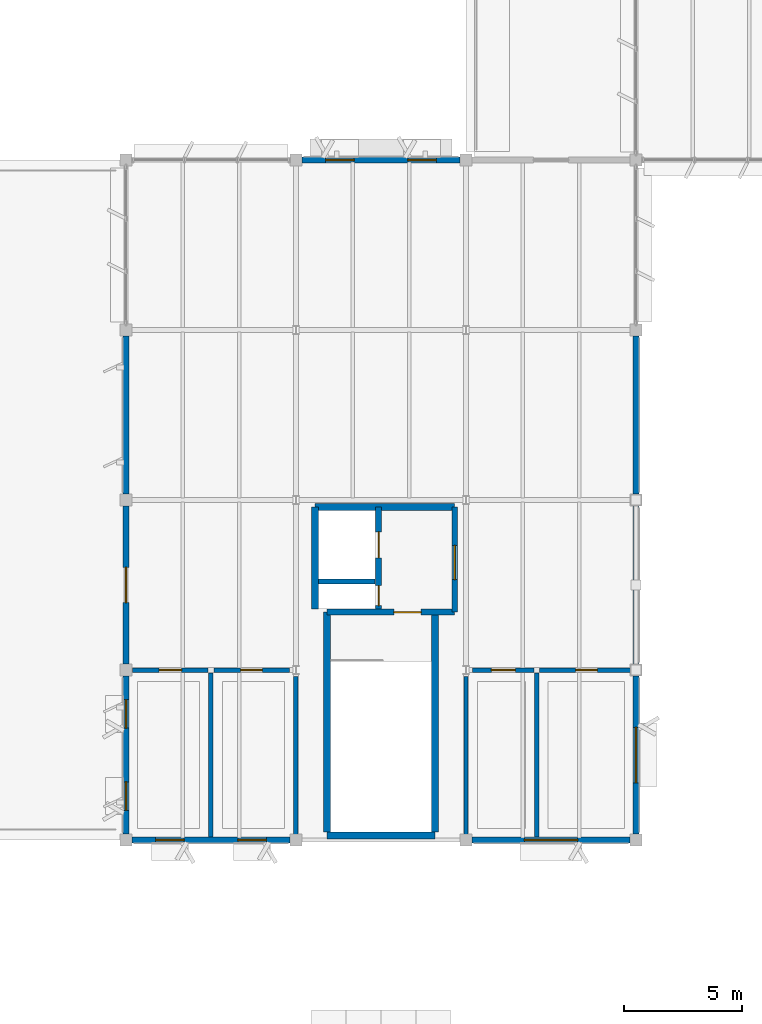
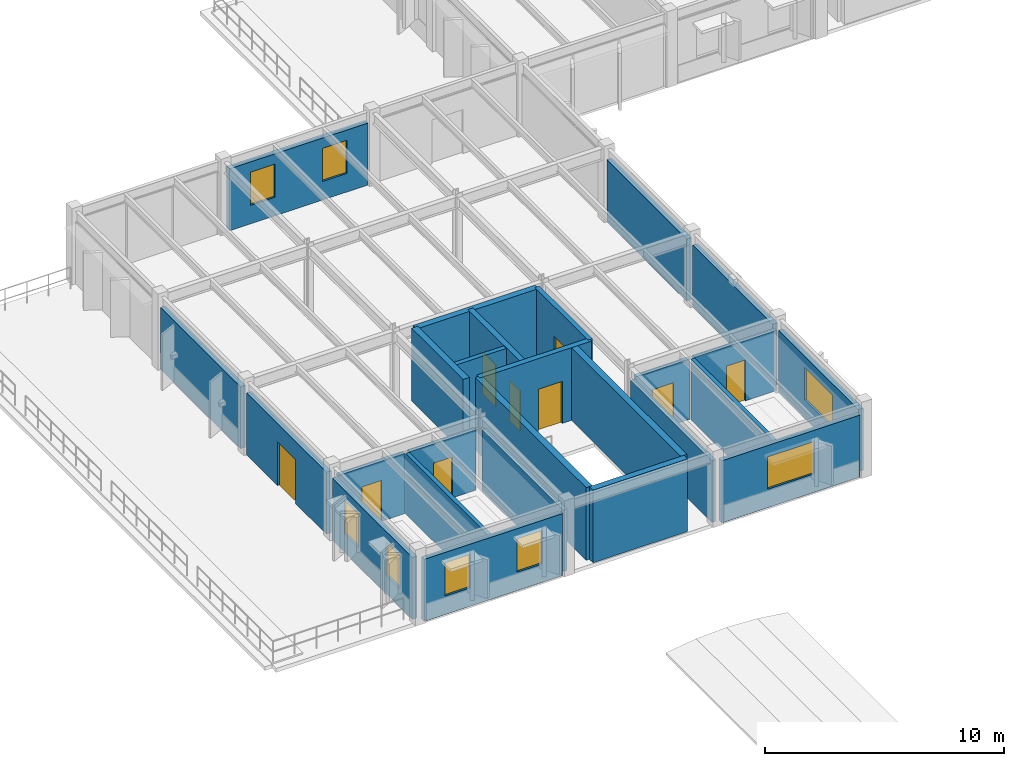
# One storey, part 12 of 35: 26 walls, 9 doors, 8 windows, 17 openings.
"""IFC4 building model written with IfcOpenShell, lengths in metres."""

from ifc_helpers import new_model, si_unit, direction, frame, frame_2d, origin, place, context, subcontext, project, spatial, rectangle, extrude, material, layer, layer_set, type_object, element, fill, save


model = new_model("IFC4")

# Units and contexts
model_context = context("Model", 3, precision=1e-05, world=origin(), true_north=direction((0.0, 1.0)))
body_context = subcontext(model_context, "Body", "Model", "MODEL_VIEW")
ifc_project = project(units=[si_unit("LENGTHUNIT", "METRE"), si_unit("AREAUNIT", "SQUARE_METRE"), si_unit("VOLUMEUNIT", "CUBIC_METRE"), si_unit("PLANEANGLEUNIT", "RADIAN"), si_unit("MASSUNIT", "GRAM", prefix="KILO")], contexts=[model_context])

# Site, building, storey
site_placement = place(None, origin())
site = spatial("IfcSite", under=ifc_project, at=site_placement, CompositionType="ELEMENT")
building_placement = place(site_placement, origin())
building = spatial("IfcBuilding", under=site, at=building_placement, Name="Sillqori Civic Hall", CompositionType="ELEMENT")
storey_placement = place(building_placement, frame((0.0, 0.0, 18.0)))
storey = spatial("IfcBuildingStorey", under=building, at=storey_placement, Name="L05", CompositionType="ELEMENT", Elevation=18.0)

# Wall
ifc_material_1 = material(Name="Concrete C35/45 (H35)", Category="concrete")
ifc_layer_1 = layer(ifc_material_1, 0.219970703125)
ifc_layer_set_1 = layer_set([ifc_layer_1], Name="Concrete C35/45 (H35)")
wall_type_1 = type_object("IfcWallType", Name="CW-SHR-220", PredefinedType="SHEAR", material=ifc_layer_set_1)
wall_1_placement = place(storey_placement, frame((22.550048828125, 61.35009765625, 0.0), z_axis=(0.0, 0.0, 1.0), x_axis=(1.0, 0.0, 0.0)))
element("IfcWall", 1, at=wall_1_placement, inside=storey, type_object=wall_type_1, Name="L05 C4 Lift-riser divider wall", PredefinedType="SHEAR", context=body_context, shape_type="SweptSolid", body=[
    extrude(rectangle(XDim=2.39990234375, YDim=0.219970703125, at=frame_2d((1.199951171875, 0.0))), origin(), (0.0, 0.0, 1.0), 3.719970703125),
])

# Wall, opening, door
wall_2_placement = place(storey_placement, frame((28.320068359375, 64.5, 0.0), z_axis=(0.0, 0.0, 1.0), x_axis=(0.0, -1.0, 0.0)))
wall_2 = element("IfcWall", 2, at=wall_2_placement, inside=storey, type_object=wall_type_1, Name="L05 C4 firefighting lobby enclosure wall", PredefinedType="SHEAR", context=body_context, shape_type="SweptSolid", body=[
    extrude(rectangle(XDim=4.449951171875, YDim=0.219970703125, at=frame_2d((2.22509765625, 0.0))), origin(), (0.0, 0.0, 1.0), 3.719970703125),
])
opening_1_placement = place(wall_2_placement, frame((1.625, 0.0, 0.0)))
opening_1 = element("IfcOpeningElement", 3, at=opening_1_placement, cuts=wall_2, Name="Opening FD-03", PredefinedType="OPENING", context=body_context, shape_type="SweptSolid", body=[
    extrude(rectangle(XDim=1.449951171875, YDim=2.199951171875, at=frame_2d((0.72509765625, 1.10009765625))), frame((0.0, 0.119873046875, 0.0), z_axis=(0.0, -1.0, 0.0), x_axis=(1.0, 0.0, 0.0)), (0.0, 0.0, 1.0), 0.239990234375),
])
ifc_material_2 = material(Name="Double-Leaf Smoke-Seal Lobby Door", Category="steel")
door_type_1 = type_object("IfcDoorType", Name="FDR-LOB-145X220", OperationType="NOTDEFINED", PredefinedType="DOOR", material=ifc_material_2)
door_1_placement = place(opening_1_placement, origin())
door_1 = element("IfcDoor", 4, at=door_1_placement, inside=storey, type_object=door_type_1, Name="L05 C4 firefighting lobby exit door", OperationType="DOUBLE_DOOR_SINGLE_SWING", OverallHeight=2.199951171875, OverallWidth=1.449951171875, PredefinedType="DOOR", context=body_context, shape_type="SweptSolid", body=[
    extrude(rectangle(XDim=1.449951171875, YDim=2.199951171875, at=frame_2d((0.72509765625, 1.10009765625))), frame((0.0, 0.02490234375, 0.0), z_axis=(0.0, -1.0, 0.0), x_axis=(1.0, 0.0, 0.0)), (0.0, 0.0, 1.0), 0.050048828125),
])
fill(opening_1, door_1)

ifc_layer_2 = layer(ifc_material_1, 0.260009765625)
ifc_layer_set_2 = layer_set([ifc_layer_2], Name="Concrete C35/45 (H35)")
wall_type_2 = type_object("IfcWallType", Name="CW-SHR-260", PredefinedType="SHEAR", material=ifc_layer_set_2)
wall_3_placement = place(storey_placement, frame((22.909912109375, 60.050048828125, 0.0), z_axis=(0.0, 0.0, 1.0), x_axis=(1.0, 0.0, 0.0)))
wall_3 = element("IfcWall", 5, at=wall_3_placement, inside=storey, type_object=wall_type_2, Name="L05 C4 Stair-lobby fire wall", PredefinedType="SHEAR", context=body_context, shape_type="SweptSolid", body=[
    extrude(rectangle(XDim=5.41015625, YDim=0.260009765625, at=frame_2d((2.705078125, 0.0))), origin(), (0.0, 0.0, 1.0), 3.719970703125),
])
opening_2_placement = place(wall_3_placement, frame((2.840087890625, 0.0, 0.0)))
opening_2 = element("IfcOpeningElement", 6, at=opening_2_placement, cuts=wall_3, Name="Opening FD-01", PredefinedType="OPENING", context=body_context, shape_type="SweptSolid", body=[
    extrude(rectangle(XDim=1.14990234375, YDim=2.14990234375, at=frame_2d((0.574951171875, 1.074951171875))), frame((0.0, 0.139892578125, 0.0), z_axis=(0.0, -1.0, 0.0), x_axis=(1.0, 0.0, 0.0)), (0.0, 0.0, 1.0), 0.280029296875),
])
ifc_material_3 = material(Name="Galvanized Steel Fire Door FD90S", Category="steel")
door_type_2 = type_object("IfcDoorType", Name="FDR-STR-115X215", OperationType="NOTDEFINED", PredefinedType="DOOR", material=ifc_material_3)
door_2_placement = place(opening_2_placement, origin())
door_2 = element("IfcDoor", 7, at=door_2_placement, inside=storey, type_object=door_type_2, Name="L05 stair ST-04 fire door", OperationType="SINGLE_SWING_RIGHT", OverallHeight=2.14990234375, OverallWidth=1.14990234375, PredefinedType="DOOR", context=body_context, shape_type="SweptSolid", body=[
    extrude(rectangle(XDim=1.14990234375, YDim=2.14990234375, at=frame_2d((0.574951171875, 1.074951171875))), frame((0.0, 0.02490234375, 0.0), z_axis=(0.0, -1.0, 0.0), x_axis=(1.0, 0.0, 0.0)), (0.0, 0.0, 1.0), 0.050048828125),
])
fill(opening_2, door_2)

# Wall, openings, doors
wall_4_placement = place(storey_placement, frame((25.10009765625, 64.5, 0.0), z_axis=(0.0, 0.0, 1.0), x_axis=(0.0, -1.0, 0.0)))
wall_4 = element("IfcWall", 8, at=wall_4_placement, inside=storey, type_object=wall_type_2, Name="L05 C4 Lift landing & riser front wall", PredefinedType="SHEAR", context=body_context, shape_type="SweptSolid", body=[
    extrude(rectangle(XDim=4.320068359375, YDim=0.260009765625, at=frame_2d((2.16015625, 0.0))), origin(), (0.0, 0.0, 1.0), 3.719970703125),
])
opening_3_placement = place(wall_4_placement, frame((1.050048828125, 0.0, 0.0)))
opening_3 = element("IfcOpeningElement", 9, at=opening_3_placement, cuts=wall_4, Name="Opening LD-01", PredefinedType="OPENING", context=body_context, shape_type="SweptSolid", body=[
    extrude(rectangle(XDim=1.10009765625, YDim=2.14990234375, at=frame_2d((0.550048828125, 1.074951171875))), frame((0.0, 0.139892578125, 0.0), z_axis=(0.0, -1.0, 0.0), x_axis=(1.0, 0.0, 0.0)), (0.0, 0.0, 1.0), 0.280029296875),
])
opening_4_placement = place(wall_4_placement, frame((3.324951171875, 0.0, 0.0)))
opening_4 = element("IfcOpeningElement", 10, at=opening_4_placement, cuts=wall_4, Name="Opening FD-05", PredefinedType="OPENING", context=body_context, shape_type="SweptSolid", body=[
    extrude(rectangle(XDim=0.85009765625, YDim=2.050048828125, at=frame_2d((0.425048828125, 1.02490234375))), frame((0.0, 0.139892578125, 0.0), z_axis=(0.0, -1.0, 0.0), x_axis=(1.0, 0.0, 0.0)), (0.0, 0.0, 1.0), 0.280029296875),
])
ifc_material_4 = material(Name="Steel Riser Access Fire Door", Category="steel")
door_type_3 = type_object("IfcDoorType", Name="FDR-RSR-085X205", OperationType="NOTDEFINED", PredefinedType="DOOR", material=ifc_material_4)
door_3_placement = place(opening_4_placement, origin())
door_3 = element("IfcDoor", 11, at=door_3_placement, inside=storey, type_object=door_type_3, Name="L05 MEP riser C4 fire access door", OperationType="SINGLE_SWING_LEFT", OverallHeight=2.050048828125, OverallWidth=0.85009765625, PredefinedType="DOOR", context=body_context, shape_type="SweptSolid", body=[
    extrude(rectangle(XDim=0.85009765625, YDim=2.050048828125, at=frame_2d((0.425048828125, 1.02490234375))), frame((0.0, 0.02490234375, 0.0), z_axis=(0.0, -1.0, 0.0), x_axis=(1.0, 0.0, 0.0)), (0.0, 0.0, 1.0), 0.050048828125),
])
fill(opening_4, door_3)
ifc_material_5 = material(Name="Stainless Steel Lift Landing Door", Category="steel")
door_type_4 = type_object("IfcDoorType", Name="LDR-PASS-110X215", OperationType="NOTDEFINED", PredefinedType="DOOR", material=ifc_material_5)
door_4_placement = place(opening_3_placement, origin())
door_4 = element("IfcDoor", 12, at=door_4_placement, inside=storey, type_object=door_type_4, Name="L05 lift LF-06 sliding landing door", OperationType="DOUBLE_DOOR_SLIDING", OverallHeight=2.14990234375, OverallWidth=1.10009765625, PredefinedType="DOOR", context=body_context, shape_type="SweptSolid", body=[
    extrude(rectangle(XDim=1.10009765625, YDim=2.14990234375, at=frame_2d((0.550048828125, 1.074951171875))), frame((0.0, 0.02490234375, 0.0), z_axis=(0.0, -1.0, 0.0), x_axis=(1.0, 0.0, 0.0)), (0.0, 0.0, 1.0), 0.050048828125),
])
fill(opening_3, door_4)

# Walls
ifc_layer_3 = layer(ifc_material_1, 0.300048828125)
ifc_layer_set_3 = layer_set([ifc_layer_3], Name="Concrete C35/45 (H35)")
wall_type_3 = type_object("IfcWallType", Name="CW-SHR-300", PredefinedType="SHEAR", material=ifc_layer_set_3)
wall_5_placement = place(storey_placement, frame((22.909912109375, 50.60009765625, 0.0), z_axis=(0.0, 0.0, 1.0), x_axis=(1.0, 0.0, 0.0)))
element("IfcWall", 13, at=wall_5_placement, inside=storey, type_object=wall_type_3, Name="L05 C4 Stair south shear wall", PredefinedType="SHEAR", context=body_context, shape_type="SweptSolid", body=[
    extrude(rectangle(XDim=4.580078125, YDim=0.300048828125, at=frame_2d((2.2900390625, 0.0))), origin(), (0.0, 0.0, 1.0), 3.719970703125),
])
for number, where, z_axis, x_axis, name in (
    (14, (22.909912109375, 50.75, 0.0), (0.0, 0.0, 1.0), (0.0, 1.0, 0.0), "L05 C4 Stair west shear wall"),
    (15, (27.489990234375, 50.75, 0.0), (0.0, 0.0, 1.0), (0.0, 1.0, 0.0), "L05 C4 Stair east shear wall"),
):
    element("IfcWall", number, at=place(storey_placement, frame(where, z_axis=z_axis, x_axis=x_axis)), inside=storey, type_object=wall_type_3, Name=name, PredefinedType="SHEAR", context=body_context, shape_type="SweptSolid", body=[
        extrude(rectangle(XDim=9.300048828125, YDim=0.300048828125, at=frame_2d((4.64990234375, 0.0))), origin(), (0.0, 0.0, 1.0), 3.719970703125),
    ])
wall_6_placement = place(storey_placement, frame((22.39990234375, 60.179931640625, 0.0), z_axis=(0.0, 0.0, 1.0), x_axis=(0.0, 1.0, 0.0)))
element("IfcWall", 16, at=wall_6_placement, inside=storey, type_object=wall_type_3, Name="L05 C4 Lift shaft west shear wall", PredefinedType="SHEAR", context=body_context, shape_type="SweptSolid", body=[
    extrude(rectangle(XDim=4.320068359375, YDim=0.300048828125, at=frame_2d((2.16015625, 0.0))), origin(), (0.0, 0.0, 1.0), 3.719970703125),
])
wall_7_placement = place(storey_placement, frame((22.39990234375, 64.5, 0.0), z_axis=(0.0, 0.0, 1.0), x_axis=(1.0, 0.0, 0.0)))
element("IfcWall", 17, at=wall_7_placement, inside=storey, type_object=wall_type_3, Name="L05 C4 Core north shear wall", PredefinedType="SHEAR", context=body_context, shape_type="SweptSolid", body=[
    extrude(rectangle(XDim=5.920166015625, YDim=0.300048828125, at=frame_2d((2.9599609375, 0.0))), origin(), (0.0, 0.0, 1.0), 3.719970703125),
])

# Wall, openings, windows
ifc_material_6 = material(Name="Concrete C30/37 (H30)", Category="concrete")
ifc_layer_4 = layer(ifc_material_6, 0.239990234375)
ifc_layer_set_4 = layer_set([ifc_layer_4], Name="Concrete C30/37 (H30)")
wall_type_4 = type_object("IfcWallType", Name="EW-MAS-240", PredefinedType="SOLIDWALL", material=ifc_layer_set_4)
wall_8_placement = place(storey_placement, frame((21.35009765625, 50.39990234375, 0.0), z_axis=(0.0, 0.0, 1.0), x_axis=(-1.0, 0.0, 0.0)))
wall_8 = element("IfcWall", 18, at=wall_8_placement, inside=storey, type_object=wall_type_4, Name="L05 V5 exterior wall L05-02-07-S", PredefinedType="SOLIDWALL", context=body_context, shape_type="SweptSolid", body=[
    extrude(rectangle(XDim=6.7001953125, YDim=0.239990234375, at=frame_2d((3.35009765625, 0.0))), origin(), (0.0, 0.0, 1.0), 3.172119140625),
])
opening_5_placement = place(wall_8_placement, frame((1.008056640625, 0.0, 0.949951171875)))
opening_5 = element("IfcOpeningElement", 19, at=opening_5_placement, cuts=wall_8, Name="Opening W-22", PredefinedType="OPENING", context=body_context, shape_type="SweptSolid", body=[
    extrude(rectangle(XDim=1.199951171875, YDim=1.699951171875, at=frame_2d((0.60009765625, 0.85009765625))), frame((0.0, 0.1298828125, 0.0), z_axis=(0.0, -1.0, 0.0), x_axis=(1.0, 0.0, 0.0)), (0.0, 0.0, 1.0), 0.260009765625),
])
opening_6_placement = place(wall_8_placement, frame((4.491943359375, 0.0, 0.949951171875)))
opening_6 = element("IfcOpeningElement", 20, at=opening_6_placement, cuts=wall_8, Name="Opening W-22", PredefinedType="OPENING", context=body_context, shape_type="SweptSolid", body=[
    extrude(rectangle(XDim=1.199951171875, YDim=1.699951171875, at=frame_2d((0.60009765625, 0.85009765625))), frame((0.0, 0.1298828125, 0.0), z_axis=(0.0, -1.0, 0.0), x_axis=(1.0, 0.0, 0.0)), (0.0, 0.0, 1.0), 0.260009765625),
])
ifc_material_7 = material(Name="Thermally Broken Aluminium Low-E Window", Category="aluminium")
window_type_1 = type_object("IfcWindowType", Name="WIN-V5-120X170", PartitioningType="SINGLE_PANEL", PredefinedType="WINDOW", material=ifc_material_7)
window_1_placement = place(opening_5_placement, origin())
window_1 = element("IfcWindow", 21, at=window_1_placement, inside=storey, type_object=window_type_1, Name="L05 V5 window L05-02-07-S.1", OverallHeight=1.699951171875, OverallWidth=1.199951171875, PartitioningType="SINGLE_PANEL", PredefinedType="WINDOW", context=body_context, shape_type="SweptSolid", body=[
    extrude(rectangle(XDim=1.199951171875, YDim=1.699951171875, at=frame_2d((0.60009765625, 0.85009765625))), frame((0.0, 0.030029296875, 0.0), z_axis=(0.0, -1.0, 0.0), x_axis=(1.0, 0.0, 0.0)), (0.0, 0.0, 1.0), 0.06005859375),
])
fill(opening_5, window_1)
window_2_placement = place(opening_6_placement, origin())
window_2 = element("IfcWindow", 22, at=window_2_placement, inside=storey, type_object=window_type_1, Name="L05 V5 window L05-02-07-S.2", OverallHeight=1.699951171875, OverallWidth=1.199951171875, PartitioningType="SINGLE_PANEL", PredefinedType="WINDOW", context=body_context, shape_type="SweptSolid", body=[
    extrude(rectangle(XDim=1.199951171875, YDim=1.699951171875, at=frame_2d((0.60009765625, 0.85009765625))), frame((0.0, 0.030029296875, 0.0), z_axis=(0.0, -1.0, 0.0), x_axis=(1.0, 0.0, 0.0)), (0.0, 0.0, 1.0), 0.06005859375),
])
fill(opening_6, window_2)

wall_9_placement = place(storey_placement, frame((14.39990234375, 50.64990234375, 0.0), z_axis=(0.0, 0.0, 1.0), x_axis=(0.0, 1.0, 0.0)))
wall_9 = element("IfcWall", 23, at=wall_9_placement, inside=storey, type_object=wall_type_4, Name="L05 V5 exterior wall L05-02-07-W", PredefinedType="SOLIDWALL", context=body_context, shape_type="SweptSolid", body=[
    extrude(rectangle(XDim=6.7001953125, YDim=0.239990234375, at=frame_2d((3.35009765625, 0.0))), origin(), (0.0, 0.0, 1.0), 3.172119140625),
])
opening_7_placement = place(wall_9_placement, frame((1.008056640625, 0.0, 0.949951171875)))
opening_7 = element("IfcOpeningElement", 24, at=opening_7_placement, cuts=wall_9, Name="Opening W-22", PredefinedType="OPENING", context=body_context, shape_type="SweptSolid", body=[
    extrude(rectangle(XDim=1.199951171875, YDim=1.699951171875, at=frame_2d((0.60009765625, 0.85009765625))), frame((0.0, 0.1298828125, 0.0), z_axis=(0.0, -1.0, 0.0), x_axis=(1.0, 0.0, 0.0)), (0.0, 0.0, 1.0), 0.260009765625),
])
opening_8_placement = place(wall_9_placement, frame((4.491943359375, 0.0, 0.949951171875)))
opening_8 = element("IfcOpeningElement", 25, at=opening_8_placement, cuts=wall_9, Name="Opening W-22", PredefinedType="OPENING", context=body_context, shape_type="SweptSolid", body=[
    extrude(rectangle(XDim=1.199951171875, YDim=1.699951171875, at=frame_2d((0.60009765625, 0.85009765625))), frame((0.0, 0.1298828125, 0.0), z_axis=(0.0, -1.0, 0.0), x_axis=(1.0, 0.0, 0.0)), (0.0, 0.0, 1.0), 0.260009765625),
])
window_3_placement = place(opening_7_placement, origin())
window_3 = element("IfcWindow", 26, at=window_3_placement, inside=storey, type_object=window_type_1, Name="L05 V5 window L05-02-07-W.1", OverallHeight=1.699951171875, OverallWidth=1.199951171875, PartitioningType="SINGLE_PANEL", PredefinedType="WINDOW", context=body_context, shape_type="SweptSolid", body=[
    extrude(rectangle(XDim=1.199951171875, YDim=1.699951171875, at=frame_2d((0.60009765625, 0.85009765625))), frame((0.0, 0.030029296875, 0.0), z_axis=(0.0, -1.0, 0.0), x_axis=(1.0, 0.0, 0.0)), (0.0, 0.0, 1.0), 0.06005859375),
])
fill(opening_7, window_3)
window_4_placement = place(opening_8_placement, origin())
window_4 = element("IfcWindow", 27, at=window_4_placement, inside=storey, type_object=window_type_1, Name="L05 V5 window L05-02-07-W.2", OverallHeight=1.699951171875, OverallWidth=1.199951171875, PartitioningType="SINGLE_PANEL", PredefinedType="WINDOW", context=body_context, shape_type="SweptSolid", body=[
    extrude(rectangle(XDim=1.199951171875, YDim=1.699951171875, at=frame_2d((0.60009765625, 0.85009765625))), frame((0.0, 0.030029296875, 0.0), z_axis=(0.0, -1.0, 0.0), x_axis=(1.0, 0.0, 0.0)), (0.0, 0.0, 1.0), 0.06005859375),
])
fill(opening_8, window_4)

# Wall, opening, door
wall_10_placement = place(storey_placement, frame((14.39990234375, 57.85009765625, 0.0), z_axis=(0.0, 0.0, 1.0), x_axis=(0.0, 1.0, 0.0)))
wall_10 = element("IfcWall", 28, at=wall_10_placement, inside=storey, type_object=wall_type_4, Name="L05 V5 exterior wall L05-02-08-W", PredefinedType="SOLIDWALL", context=body_context, shape_type="SweptSolid", body=[
    extrude(rectangle(XDim=6.699951171875, YDim=0.239990234375, at=frame_2d((3.35009765625, 0.0))), origin(), (0.0, 0.0, 1.0), 3.172119140625),
])
opening_9_placement = place(wall_10_placement, frame((2.60009765625, 0.0, 0.0)))
opening_9 = element("IfcOpeningElement", 29, at=opening_9_placement, cuts=wall_10, Name="Opening ED-06", PredefinedType="OPENING", context=body_context, shape_type="SweptSolid", body=[
    extrude(rectangle(XDim=1.5, YDim=2.25, at=frame_2d((0.75, 1.125))), frame((0.0, 0.1298828125, 0.0), z_axis=(0.0, -1.0, 0.0), x_axis=(1.0, 0.0, 0.0)), (0.0, 0.0, 1.0), 0.260009765625),
])
ifc_material_8 = material(Name="Thermally Broken Anodized Aluminium and Laminated Glass", Category="aluminium")
door_type_5 = type_object("IfcDoorType", Name="EDR-TERR-150X225", OperationType="NOTDEFINED", PredefinedType="DOOR", material=ifc_material_8)
door_5_placement = place(opening_9_placement, origin())
door_5 = element("IfcDoor", 30, at=door_5_placement, inside=storey, type_object=door_type_5, Name="West Directorate Roof Garden Access Door", OperationType="DOUBLE_DOOR_SINGLE_SWING", OverallHeight=2.25, OverallWidth=1.5, PredefinedType="DOOR", context=body_context, shape_type="SweptSolid", body=[
    extrude(rectangle(XDim=1.5, YDim=2.25, at=frame_2d((0.75, 1.125))), frame((0.0, 0.02490234375, 0.0), z_axis=(0.0, -1.0, 0.0), x_axis=(1.0, 0.0, 0.0)), (0.0, 0.0, 1.0), 0.050048828125),
])
fill(opening_9, door_5)

# Wall
wall_11_placement = place(storey_placement, frame((14.39990234375, 65.050048828125, 0.0), z_axis=(0.0, 0.0, 1.0), x_axis=(0.0, 1.0, 0.0)))
element("IfcWall", 31, at=wall_11_placement, inside=storey, type_object=wall_type_4, Name="L05 V5 exterior wall L05-02-09-W", PredefinedType="SOLIDWALL", context=body_context, shape_type="SweptSolid", body=[
    extrude(rectangle(XDim=6.699951171875, YDim=0.239990234375, at=frame_2d((3.35009765625, 0.0))), origin(), (0.0, 0.0, 1.0), 3.172119140625),
])

# Wall, openings, windows
wall_12_placement = place(storey_placement, frame((21.85009765625, 79.199951171875, 0.0), z_axis=(0.0, 0.0, 1.0), x_axis=(1.0, 0.0, 0.0)))
wall_12 = element("IfcWall", 32, at=wall_12_placement, inside=storey, type_object=wall_type_4, Name="L05 V5 exterior wall L05-03-10-N", PredefinedType="SOLIDWALL", context=body_context, shape_type="SweptSolid", body=[
    extrude(rectangle(XDim=6.699951171875, YDim=0.239990234375, at=frame_2d((3.35009765625, 0.0))), origin(), (0.0, 0.0, 1.0), 3.172119140625),
])
opening_10_placement = place(wall_12_placement, frame((1.008056640625, 0.0, 0.949951171875)))
opening_10 = element("IfcOpeningElement", 33, at=opening_10_placement, cuts=wall_12, Name="Opening W-22", PredefinedType="OPENING", context=body_context, shape_type="SweptSolid", body=[
    extrude(rectangle(XDim=1.199951171875, YDim=1.699951171875, at=frame_2d((0.60009765625, 0.85009765625))), frame((0.0, 0.1298828125, 0.0), z_axis=(0.0, -1.0, 0.0), x_axis=(1.0, 0.0, 0.0)), (0.0, 0.0, 1.0), 0.260009765625),
])
opening_11_placement = place(wall_12_placement, frame((4.491943359375, 0.0, 0.949951171875)))
opening_11 = element("IfcOpeningElement", 34, at=opening_11_placement, cuts=wall_12, Name="Opening W-22", PredefinedType="OPENING", context=body_context, shape_type="SweptSolid", body=[
    extrude(rectangle(XDim=1.199951171875, YDim=1.699951171875, at=frame_2d((0.60009765625, 0.85009765625))), frame((0.0, 0.1298828125, 0.0), z_axis=(0.0, -1.0, 0.0), x_axis=(1.0, 0.0, 0.0)), (0.0, 0.0, 1.0), 0.260009765625),
])
window_5_placement = place(opening_10_placement, origin())
window_5 = element("IfcWindow", 35, at=window_5_placement, inside=storey, type_object=window_type_1, Name="L05 V5 window L05-03-10-N.1", OverallHeight=1.699951171875, OverallWidth=1.199951171875, PartitioningType="SINGLE_PANEL", PredefinedType="WINDOW", context=body_context, shape_type="SweptSolid", body=[
    extrude(rectangle(XDim=1.199951171875, YDim=1.699951171875, at=frame_2d((0.60009765625, 0.85009765625))), frame((0.0, 0.030029296875, 0.0), z_axis=(0.0, -1.0, 0.0), x_axis=(1.0, 0.0, 0.0)), (0.0, 0.0, 1.0), 0.06005859375),
])
fill(opening_10, window_5)
window_6_placement = place(opening_11_placement, origin())
window_6 = element("IfcWindow", 36, at=window_6_placement, inside=storey, type_object=window_type_1, Name="L05 V5 window L05-03-10-N.2", OverallHeight=1.699951171875, OverallWidth=1.199951171875, PartitioningType="SINGLE_PANEL", PredefinedType="WINDOW", context=body_context, shape_type="SweptSolid", body=[
    extrude(rectangle(XDim=1.199951171875, YDim=1.699951171875, at=frame_2d((0.60009765625, 0.85009765625))), frame((0.0, 0.030029296875, 0.0), z_axis=(0.0, -1.0, 0.0), x_axis=(1.0, 0.0, 0.0)), (0.0, 0.0, 1.0), 0.06005859375),
])
fill(opening_11, window_6)

# Wall, opening, window
wall_13_placement = place(storey_placement, frame((35.75, 50.39990234375, 0.0), z_axis=(0.0, 0.0, 1.0), x_axis=(-1.0, 0.0, 0.0)))
wall_13 = element("IfcWall", 37, at=wall_13_placement, inside=storey, type_object=wall_type_4, Name="L05 V5 exterior wall L05-04-07-S", PredefinedType="SOLIDWALL", context=body_context, shape_type="SweptSolid", body=[
    extrude(rectangle(XDim=6.699951171875, YDim=0.239990234375, at=frame_2d((3.35009765625, 0.0))), origin(), (0.0, 0.0, 1.0), 3.172119140625),
])
opening_12_placement = place(wall_13_placement, frame((2.22509765625, 0.0, 0.949951171875)))
opening_12 = element("IfcOpeningElement", 38, at=opening_12_placement, cuts=wall_13, Name="Opening W-51", PredefinedType="OPENING", context=body_context, shape_type="SweptSolid", body=[
    extrude(rectangle(XDim=2.25, YDim=1.64990234375, at=frame_2d((1.125, 0.824951171875))), frame((0.0, 0.1298828125, 0.0), z_axis=(0.0, -1.0, 0.0), x_axis=(1.0, 0.0, 0.0)), (0.0, 0.0, 1.0), 0.260009765625),
])
window_type_2 = type_object("IfcWindowType", Name="WIN-GD-225X165", PartitioningType="SINGLE_PANEL", PredefinedType="WINDOW", material=ifc_material_7)
window_7_placement = place(opening_12_placement, origin())
window_7 = element("IfcWindow", 39, at=window_7_placement, inside=storey, type_object=window_type_2, Name="L05 V5 window L05-04-07-S.1", OverallHeight=1.64990234375, OverallWidth=2.25, PartitioningType="SINGLE_PANEL", PredefinedType="WINDOW", context=body_context, shape_type="SweptSolid", body=[
    extrude(rectangle(XDim=2.25, YDim=1.64990234375, at=frame_2d((1.125, 0.824951171875))), frame((0.0, 0.030029296875, 0.0), z_axis=(0.0, -1.0, 0.0), x_axis=(1.0, 0.0, 0.0)), (0.0, 0.0, 1.0), 0.06005859375),
])
fill(opening_12, window_7)

wall_14_placement = place(storey_placement, frame((36.0, 57.35009765625, 0.0), z_axis=(0.0, 0.0, 1.0), x_axis=(0.0, -1.0, 0.0)))
wall_14 = element("IfcWall", 40, at=wall_14_placement, inside=storey, type_object=wall_type_4, Name="L05 V5 exterior wall L05-04-07-E", PredefinedType="SOLIDWALL", context=body_context, shape_type="SweptSolid", body=[
    extrude(rectangle(XDim=6.7001953125, YDim=0.239990234375, at=frame_2d((3.35009765625, 0.0))), origin(), (0.0, 0.0, 1.0), 3.172119140625),
])
opening_13_placement = place(wall_14_placement, frame((2.175048828125, 0.0, 0.949951171875)))
opening_13 = element("IfcOpeningElement", 41, at=opening_13_placement, cuts=wall_14, Name="Opening W-52", PredefinedType="OPENING", context=body_context, shape_type="SweptSolid", body=[
    extrude(rectangle(XDim=2.35009765625, YDim=1.64990234375, at=frame_2d((1.175048828125, 0.824951171875))), frame((0.0, 0.1298828125, 0.0), z_axis=(0.0, -1.0, 0.0), x_axis=(1.0, 0.0, 0.0)), (0.0, 0.0, 1.0), 0.260009765625),
])
window_type_3 = type_object("IfcWindowType", Name="WIN-GD-235X165", PartitioningType="SINGLE_PANEL", PredefinedType="WINDOW", material=ifc_material_7)
window_8_placement = place(opening_13_placement, origin())
window_8 = element("IfcWindow", 42, at=window_8_placement, inside=storey, type_object=window_type_3, Name="L05 V5 window L05-04-07-E.1", OverallHeight=1.64990234375, OverallWidth=2.35009765625, PartitioningType="SINGLE_PANEL", PredefinedType="WINDOW", context=body_context, shape_type="SweptSolid", body=[
    extrude(rectangle(XDim=2.35009765625, YDim=1.64990234375, at=frame_2d((1.175048828125, 0.824951171875))), frame((0.0, 0.030029296875, 0.0), z_axis=(0.0, -1.0, 0.0), x_axis=(1.0, 0.0, 0.0)), (0.0, 0.0, 1.0), 0.06005859375),
])
fill(opening_13, window_8)

# Walls
for number, where, z_axis, x_axis, name in (
    (43, (36.0, 64.550048828125, 0.0), (0.0, 0.0, 1.0), (0.0, -1.0, 0.0), "L05 V5 exterior wall L05-04-08-E"),
    (44, (36.0, 71.75, 0.0), (0.0, 0.0, 1.0), (0.0, -1.0, 0.0), "L05 V5 exterior wall L05-04-09-E"),
):
    element("IfcWall", number, at=place(storey_placement, frame(where, z_axis=z_axis, x_axis=x_axis)), inside=storey, type_object=wall_type_4, Name=name, PredefinedType="SOLIDWALL", context=body_context, shape_type="SweptSolid", body=[
        extrude(rectangle(XDim=6.699951171875, YDim=0.239990234375, at=frame_2d((3.35009765625, 0.0))), origin(), (0.0, 0.0, 1.0), 3.172119140625),
    ])

# Wall, opening, door
ifc_material_9 = material(Name="Concrete C25/30 (H25)", Category="concrete")
ifc_layer_5 = layer(ifc_material_9, 0.18994140625)
ifc_layer_set_5 = layer_set([ifc_layer_5], Name="Concrete C25/30 (H25)")
wall_type_5 = type_object("IfcWallType", Name="PT-MAS-190", PredefinedType="PARTITIONING", material=ifc_layer_set_5)
wall_15_placement = place(storey_placement, frame((14.679931640625, 57.60009765625, 0.0), z_axis=(0.0, 0.0, 1.0), x_axis=(1.0, 0.0, 0.0)))
wall_15 = element("IfcWall", 45, at=wall_15_placement, inside=storey, type_object=wall_type_5, Name="L05 Public Male WC partition N1", PredefinedType="PARTITIONING", context=body_context, shape_type="SweptSolid", body=[
    extrude(rectangle(XDim=3.199951171875, YDim=0.18994140625, at=frame_2d((1.60009765625, 0.0))), origin(), (0.0, 0.0, 1.0), 3.087890625),
])
opening_14_placement = place(wall_15_placement, frame((1.1201171875, 0.0, 0.0)))
opening_14 = element("IfcOpeningElement", 46, at=opening_14_placement, cuts=wall_15, Name="Opening ID-20", PredefinedType="OPENING", context=body_context, shape_type="SweptSolid", body=[
    extrude(rectangle(XDim=0.9599609375, YDim=2.10009765625, at=frame_2d((0.47998046875, 1.050048828125))), frame((0.0, 0.10498046875, 0.0), z_axis=(0.0, -1.0, 0.0), x_axis=(1.0, 0.0, 0.0)), (0.0, 0.0, 1.0), 0.2099609375),
])
ifc_material_10 = material(Name="Moisture-Resistant Sanitary Door 960", Category="timber")
door_type_6 = type_object("IfcDoorType", Name="IDR-WC-096X210", OperationType="NOTDEFINED", PredefinedType="DOOR", material=ifc_material_10)
door_6_placement = place(opening_14_placement, origin())
door_6 = element("IfcDoor", 47, at=door_6_placement, inside=storey, type_object=door_type_6, Name="L05 Public Male WC entrance door", OperationType="SINGLE_SWING_RIGHT", OverallHeight=2.10009765625, OverallWidth=0.9599609375, PredefinedType="DOOR", context=body_context, shape_type="SweptSolid", body=[
    extrude(rectangle(XDim=0.9599609375, YDim=2.10009765625, at=frame_2d((0.47998046875, 1.050048828125))), frame((0.0, 0.02490234375, 0.0), z_axis=(0.0, -1.0, 0.0), x_axis=(1.0, 0.0, 0.0)), (0.0, 0.0, 1.0), 0.050048828125),
])
fill(opening_14, door_6)

# Wall
wall_16_placement = place(storey_placement, frame((18.0, 57.47998046875, 0.0), z_axis=(0.0, 0.0, 1.0), x_axis=(0.0, -1.0, 0.0)))
element("IfcWall", 48, at=wall_16_placement, inside=storey, type_object=wall_type_5, Name="L05 Public Male WC partition E2", PredefinedType="PARTITIONING", context=body_context, shape_type="SweptSolid", body=[
    extrude(rectangle(XDim=6.9599609375, YDim=0.18994140625, at=frame_2d((3.47998046875, 0.0))), origin(), (0.0, 0.0, 1.0), 3.087890625),
])

# Wall, opening, door
wall_17_placement = place(storey_placement, frame((18.1201171875, 57.60009765625, 0.0), z_axis=(0.0, 0.0, 1.0), x_axis=(1.0, 0.0, 0.0)))
wall_17 = element("IfcWall", 49, at=wall_17_placement, inside=storey, type_object=wall_type_5, Name="L05 Public Female WC partition N1", PredefinedType="PARTITIONING", context=body_context, shape_type="SweptSolid", body=[
    extrude(rectangle(XDim=3.199951171875, YDim=0.18994140625, at=frame_2d((1.60009765625, 0.0))), origin(), (0.0, 0.0, 1.0), 3.087890625),
])
opening_15_placement = place(wall_17_placement, frame((1.139892578125, 0.0, 0.0)))
opening_15 = element("IfcOpeningElement", 50, at=opening_15_placement, cuts=wall_17, Name="Opening ID-19", PredefinedType="OPENING", context=body_context, shape_type="SweptSolid", body=[
    extrude(rectangle(XDim=0.919921875, YDim=2.10009765625, at=frame_2d((0.4599609375, 1.050048828125))), frame((0.0, 0.10498046875, 0.0), z_axis=(0.0, -1.0, 0.0), x_axis=(1.0, 0.0, 0.0)), (0.0, 0.0, 1.0), 0.2099609375),
])
ifc_material_11 = material(Name="Moisture-Resistant Sanitary Door 920", Category="timber")
door_type_7 = type_object("IfcDoorType", Name="IDR-WC-092X210", OperationType="NOTDEFINED", PredefinedType="DOOR", material=ifc_material_11)
door_7_placement = place(opening_15_placement, origin())
door_7 = element("IfcDoor", 51, at=door_7_placement, inside=storey, type_object=door_type_7, Name="L05 Public Female WC entrance door", OperationType="SINGLE_SWING_LEFT", OverallHeight=2.10009765625, OverallWidth=0.919921875, PredefinedType="DOOR", context=body_context, shape_type="SweptSolid", body=[
    extrude(rectangle(XDim=0.919921875, YDim=2.10009765625, at=frame_2d((0.4599609375, 1.050048828125))), frame((0.0, 0.02490234375, 0.0), z_axis=(0.0, -1.0, 0.0), x_axis=(1.0, 0.0, 0.0)), (0.0, 0.0, 1.0), 0.050048828125),
])
fill(opening_15, door_7)

# Wall
wall_18_placement = place(storey_placement, frame((21.60009765625, 57.320068359375, 0.0), z_axis=(0.0, 0.0, 1.0), x_axis=(0.0, -1.0, 0.0)))
element("IfcWall", 52, at=wall_18_placement, inside=storey, type_object=wall_type_5, Name="L05 Public Female WC partition E3", PredefinedType="PARTITIONING", context=body_context, shape_type="SweptSolid", body=[
    extrude(rectangle(XDim=6.800048828125, YDim=0.18994140625, at=frame_2d((3.39990234375, 0.0))), origin(), (0.0, 0.0, 1.0), 3.156982421875),
])

# Wall, opening, door
wall_19_placement = place(storey_placement, frame((29.080078125, 57.60009765625, 0.0), z_axis=(0.0, 0.0, 1.0), x_axis=(1.0, 0.0, 0.0)))
wall_19 = element("IfcWall", 53, at=wall_19_placement, inside=storey, type_object=wall_type_5, Name="L05 Accessible WC partition N1", PredefinedType="PARTITIONING", context=body_context, shape_type="SweptSolid", body=[
    extrude(rectangle(XDim=2.599853515625, YDim=0.18994140625, at=frame_2d((1.2998046875, 0.0))), origin(), (0.0, 0.0, 1.0), 3.087890625),
])
opening_16_placement = place(wall_19_placement, frame((0.7900390625, 0.0, 0.0)))
opening_16 = element("IfcOpeningElement", 54, at=opening_16_placement, cuts=wall_19, Name="Opening ID-21", PredefinedType="OPENING", context=body_context, shape_type="SweptSolid", body=[
    extrude(rectangle(XDim=1.02001953125, YDim=2.14990234375, at=frame_2d((0.510009765625, 1.074951171875))), frame((0.0, 0.10498046875, 0.0), z_axis=(0.0, -1.0, 0.0), x_axis=(1.0, 0.0, 0.0)), (0.0, 0.0, 1.0), 0.2099609375),
])
ifc_material_12 = material(Name="Accessible WC Outward-Clear Door", Category="timber")
door_type_8 = type_object("IfcDoorType", Name="IDR-AWC-102X215", OperationType="NOTDEFINED", PredefinedType="DOOR", material=ifc_material_12)
door_8_placement = place(opening_16_placement, origin())
door_8 = element("IfcDoor", 55, at=door_8_placement, inside=storey, type_object=door_type_8, Name="L05 Accessible WC entrance door", OperationType="SINGLE_SWING_RIGHT", OverallHeight=2.14990234375, OverallWidth=1.02001953125, PredefinedType="DOOR", context=body_context, shape_type="SweptSolid", body=[
    extrude(rectangle(XDim=1.02001953125, YDim=2.14990234375, at=frame_2d((0.510009765625, 1.074951171875))), frame((0.0, 0.02490234375, 0.0), z_axis=(0.0, -1.0, 0.0), x_axis=(1.0, 0.0, 0.0)), (0.0, 0.0, 1.0), 0.050048828125),
])
fill(opening_16, door_8)

# Walls
wall_20_placement = place(storey_placement, frame((28.800048828125, 50.52001953125, 0.0), z_axis=(0.0, 0.0, 1.0), x_axis=(0.0, 1.0, 0.0)))
element("IfcWall", 56, at=wall_20_placement, inside=storey, type_object=wall_type_5, Name="L05 Accessible WC partition W2", PredefinedType="PARTITIONING", context=body_context, shape_type="SweptSolid", body=[
    extrude(rectangle(XDim=6.800048828125, YDim=0.18994140625, at=frame_2d((3.39990234375, 0.0))), origin(), (0.0, 0.0, 1.0), 3.156982421875),
])
wall_21_placement = place(storey_placement, frame((31.800048828125, 57.47998046875, 0.0), z_axis=(0.0, 0.0, 1.0), x_axis=(0.0, -1.0, 0.0)))
element("IfcWall", 57, at=wall_21_placement, inside=storey, type_object=wall_type_5, Name="L05 Accessible WC partition E3", PredefinedType="PARTITIONING", context=body_context, shape_type="SweptSolid", body=[
    extrude(rectangle(XDim=6.9599609375, YDim=0.18994140625, at=frame_2d((3.47998046875, 0.0))), origin(), (0.0, 0.0, 1.0), 3.087890625),
])

# Wall, opening, door
wall_22_placement = place(storey_placement, frame((31.919921875, 57.60009765625, 0.0), z_axis=(0.0, 0.0, 1.0), x_axis=(1.0, 0.0, 0.0)))
wall_22 = element("IfcWall", 58, at=wall_22_placement, inside=storey, type_object=wall_type_5, Name="L05 Staff Sanitary and Cleaners Room partition N1", PredefinedType="PARTITIONING", context=body_context, shape_type="SweptSolid", body=[
    extrude(rectangle(XDim=3.9599609375, YDim=0.18994140625, at=frame_2d((1.97998046875, 0.0))), origin(), (0.0, 0.0, 1.0), 3.087890625),
])
opening_17_placement = place(wall_22_placement, frame((1.52001953125, 0.0, 0.0)))
opening_17 = element("IfcOpeningElement", 59, at=opening_17_placement, cuts=wall_22, Name="Opening ID-19", PredefinedType="OPENING", context=body_context, shape_type="SweptSolid", body=[
    extrude(rectangle(XDim=0.919921875, YDim=2.10009765625, at=frame_2d((0.4599609375, 1.050048828125))), frame((0.0, 0.10498046875, 0.0), z_axis=(0.0, -1.0, 0.0), x_axis=(1.0, 0.0, 0.0)), (0.0, 0.0, 1.0), 0.2099609375),
])
door_9_placement = place(opening_17_placement, origin())
door_9 = element("IfcDoor", 60, at=door_9_placement, inside=storey, type_object=door_type_7, Name="L05 Staff Sanitary and Cleaners Room entrance door", OperationType="SINGLE_SWING_LEFT", OverallHeight=2.10009765625, OverallWidth=0.919921875, PredefinedType="DOOR", context=body_context, shape_type="SweptSolid", body=[
    extrude(rectangle(XDim=0.919921875, YDim=2.10009765625, at=frame_2d((0.4599609375, 1.050048828125))), frame((0.0, 0.02490234375, 0.0), z_axis=(0.0, -1.0, 0.0), x_axis=(1.0, 0.0, 0.0)), (0.0, 0.0, 1.0), 0.050048828125),
])
fill(opening_17, door_9)

save(model, "model.ifc")
